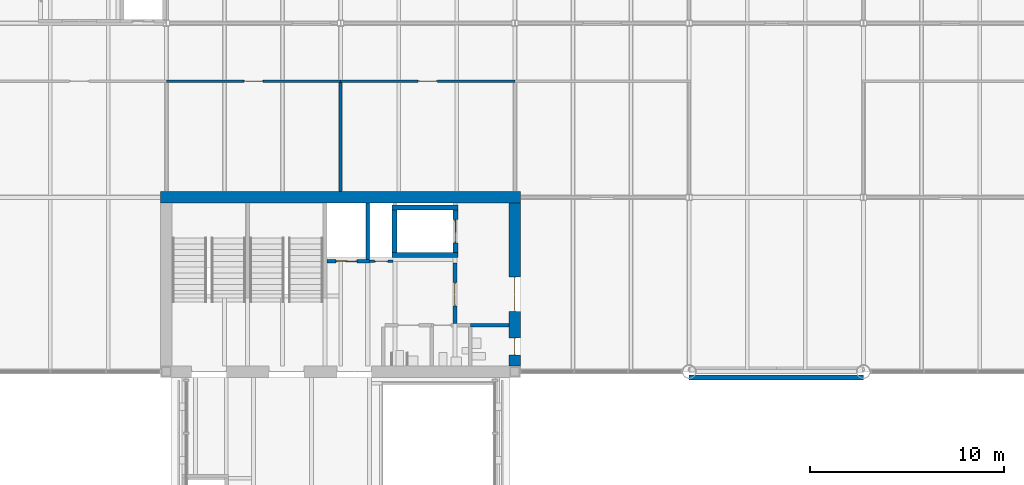
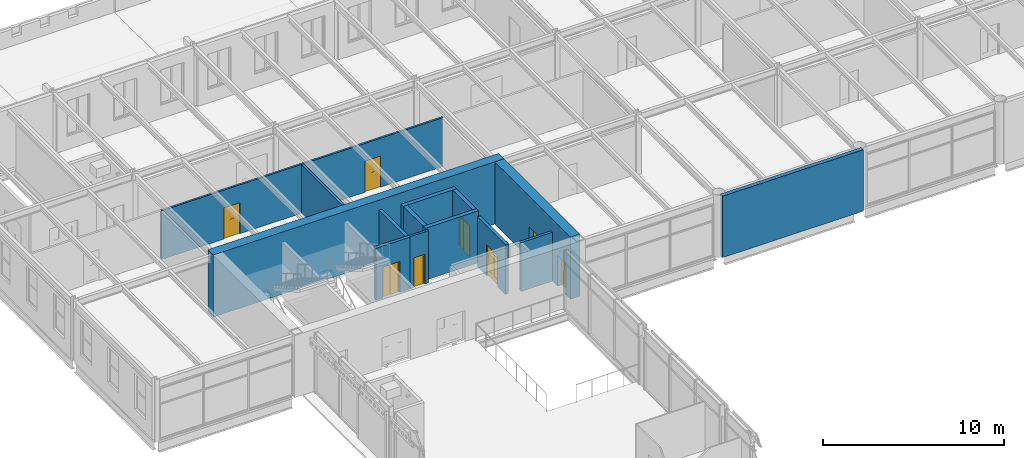
# One storey, part 71 of 123: 15 walls, 8 doors, 8 openings.
"""IFC4 building model written with IfcOpenShell, lengths in metres."""

from ifc_helpers import new_model, si_unit, direction, frame, frame_2d, origin, place, context, subcontext, project, spatial, polyline, rectangle, outline, extrude, material, layer, layer_set, type_object, element, fill, save


model = new_model("IFC4")

# Units and contexts
model_context = context("Model", 3, precision=1e-05, world=origin(), true_north=direction((0.0, 1.0)))
body_context = subcontext(model_context, "Body", "Model", "MODEL_VIEW")
ifc_project = project(units=[si_unit("LENGTHUNIT", "METRE"), si_unit("AREAUNIT", "SQUARE_METRE"), si_unit("VOLUMEUNIT", "CUBIC_METRE"), si_unit("PLANEANGLEUNIT", "RADIAN"), si_unit("MASSUNIT", "GRAM", prefix="KILO")], contexts=[model_context])

# Site, building, storey
site_placement = place(None, origin())
site = spatial("IfcSite", under=ifc_project, at=site_placement, CompositionType="ELEMENT")
building_placement = place(site_placement, origin())
building = spatial("IfcBuilding", under=site, at=building_placement, Name="Baradari Gate Terminus", CompositionType="ELEMENT")
storey_placement = place(building_placement, frame((0.0, 0.0, 7.5)))
storey = spatial("IfcBuildingStorey", under=building, at=storey_placement, Name="L01", CompositionType="ELEMENT", Elevation=7.5)

# Wall
ifc_material_1 = material(Name="Concrete C40/50", Category="concrete")
ifc_layer_1 = layer(ifc_material_1, 0.60009765625)
ifc_layer_set_1 = layer_set([ifc_layer_1], Name="Concrete C40/50")
wall_type_1 = type_object("IfcWallType", Name="Abutment core wall CWL04 600", PredefinedType="SOLIDWALL", material=ifc_layer_set_1)
wall_1_placement = place(storey_placement, frame((71.699951171875, 90.0, 0.0), z_axis=(0.0, 0.0, 1.0), x_axis=(1.0, 0.0, 0.0)))
element("IfcWall", 1, at=wall_1_placement, inside=storey, type_object=wall_type_1, Name="Abutment core wall GN N L01", PredefinedType="SOLIDWALL", context=body_context, shape_type="SweptSolid", body=[
    extrude(rectangle(XDim=18.60009765625, YDim=0.60009765625, at=frame_2d((9.300048828125, 0.0))), origin(), (0.0, 0.0, 1.0), 4.199951171875),
])

# Wall, openings, doors
wall_2_placement = place(storey_placement, frame((90.0, 81.300048828125, 0.0), z_axis=(0.0, 0.0, 1.0), x_axis=(0.0, 1.0, 0.0)))
wall_2 = element("IfcWall", 2, at=wall_2_placement, inside=storey, type_object=wall_type_1, Name="Abutment core wall GN E L01", PredefinedType="SOLIDWALL", context=body_context, shape_type="SweptSolid", body=[
    extrude(rectangle(XDim=8.39990234375, YDim=0.60009765625, at=frame_2d((4.199951171875, 0.0))), origin(), (0.0, 0.0, 1.0), 4.199951171875),
])
opening_1_placement = place(wall_2_placement, frame((2.800048828125, 0.0, 0.0)))
opening_1 = element("IfcOpeningElement", 3, at=opening_1_placement, cuts=wall_2, Name="Opening D01-094", PredefinedType="OPENING", context=body_context, shape_type="SweptSolid", body=[
    extrude(rectangle(XDim=1.800048828125, YDim=2.10009765625, at=frame_2d((0.89990234375, 1.050048828125))), frame((0.0, 0.31005859375, 0.0), z_axis=(0.0, -1.0, 0.0), x_axis=(1.0, 0.0, 0.0)), (0.0, 0.0, 1.0), 0.6201171875),
])
opening_2_placement = place(wall_2_placement, frame((0.550048828125, 0.0, 0.0)))
opening_2 = element("IfcOpeningElement", 4, at=opening_2_placement, cuts=wall_2, Name="Opening D01-098", PredefinedType="OPENING", context=body_context, shape_type="SweptSolid", body=[
    extrude(rectangle(XDim=0.89990234375, YDim=2.10009765625, at=frame_2d((0.449951171875, 1.050048828125))), frame((0.0, 0.31005859375, 0.0), z_axis=(0.0, -1.0, 0.0), x_axis=(1.0, 0.0, 0.0)), (0.0, 0.0, 1.0), 0.6201171875),
])
ifc_material_2 = material(Name="Steel S275", Category="steel")
door_type_1 = type_object("IfcDoorType", Name="Fire door FI-1800-FD90S 1800x2100 FD90S", OperationType="DOUBLE_DOOR_SINGLE_SWING", PredefinedType="DOOR", material=ifc_material_2)
door_1_placement = place(opening_1_placement, origin())
door_1 = element("IfcDoor", 5, at=door_1_placement, inside=storey, type_object=door_type_1, Name="Door Lift Lobby (Fire-fighting)", OperationType="DOUBLE_DOOR_SINGLE_SWING", OverallHeight=2.1, OverallWidth=1.8, PredefinedType="DOOR", context=body_context, shape_type="SweptSolid", body=[
    extrude(outline(polyline([(0.0, 0.0), (0.070068359375, 0.0), (0.070068359375, 2.030029296875), (1.72998046875, 2.030029296875), (1.72998046875, 0.0), (1.800048828125, 0.0), (1.800048828125, 2.10009765625), (0.0, 2.10009765625), (0.0, 0.0)])), frame((0.0, 0.02490234375, 0.0), z_axis=(0.0, -1.0, 0.0), x_axis=(1.0, 0.0, 0.0)), (0.0, 0.0, 1.0), 0.050048828125),
    extrude(outline(polyline([(0.073974609375, 0.010009765625), (0.89697265625, 0.010009765625), (0.89697265625, 2.026123046875), (0.073974609375, 2.026123046875), (0.073974609375, 0.010009765625)]), holes=[polyline([(0.194091796875, 0.159912109375), (0.77685546875, 0.159912109375), (0.77685546875, 1.010009765625), (0.194091796875, 1.010009765625), (0.194091796875, 0.159912109375)]), polyline([(0.33544921875, 1.159912109375), (0.635498046875, 1.159912109375), (0.635498046875, 1.760009765625), (0.33544921875, 1.760009765625), (0.33544921875, 1.159912109375)])]), frame((0.0, 0.017333984375, 0.0), z_axis=(0.0, -1.0, 0.0), x_axis=(1.0, 0.0, 0.0)), (0.0, 0.0, 1.0), 0.034912109375),
    extrude(rectangle(XDim=0.582763671875, YDim=0.85009765625, at=frame_2d((0.4853515625, 0.5849609375))), frame((0.0, 0.008544921875, 0.0), z_axis=(0.0, -1.0, 0.0), x_axis=(1.0, 0.0, 0.0)), (0.0, 0.0, 1.0), 0.017333984375),
    extrude(rectangle(XDim=0.300048828125, YDim=0.60009765625, at=frame_2d((0.4853515625, 1.4599609375))), frame((0.0, 0.005859375, 0.0), z_axis=(0.0, -1.0, 0.0), x_axis=(1.0, 0.0, 0.0)), (0.0, 0.0, 1.0), 0.011962890625),
    extrude(outline(polyline([(0.903076171875, 0.010009765625), (1.72607421875, 0.010009765625), (1.72607421875, 2.026123046875), (0.903076171875, 2.026123046875), (0.903076171875, 0.010009765625)]), holes=[polyline([(1.023193359375, 0.159912109375), (1.60595703125, 0.159912109375), (1.60595703125, 1.010009765625), (1.023193359375, 1.010009765625), (1.023193359375, 0.159912109375)]), polyline([(1.16455078125, 1.159912109375), (1.464599609375, 1.159912109375), (1.464599609375, 1.760009765625), (1.16455078125, 1.760009765625), (1.16455078125, 1.159912109375)])]), frame((0.0, 0.017333984375, 0.0), z_axis=(0.0, -1.0, 0.0), x_axis=(1.0, 0.0, 0.0)), (0.0, 0.0, 1.0), 0.034912109375),
    extrude(rectangle(XDim=0.582763671875, YDim=0.85009765625, at=frame_2d((1.314453125, 0.5849609375))), frame((0.0, 0.008544921875, 0.0), z_axis=(0.0, -1.0, 0.0), x_axis=(1.0, 0.0, 0.0)), (0.0, 0.0, 1.0), 0.017333984375),
    extrude(rectangle(XDim=0.300048828125, YDim=0.60009765625, at=frame_2d((1.314453125, 1.4599609375))), frame((0.0, 0.005859375, 0.0), z_axis=(0.0, -1.0, 0.0), x_axis=(1.0, 0.0, 0.0)), (0.0, 0.0, 1.0), 0.011962890625),
])
fill(opening_1, door_1)
ifc_material_3 = material(Name="Steel S275", Category="steel")
door_type_2 = type_object("IfcDoorType", Name="Fire door FI-900-FD90S 900x2100 FD90S", OperationType="SINGLE_SWING_LEFT", PredefinedType="DOOR", material=ifc_material_3)
door_2_placement = place(opening_2_placement, origin())
door_2 = element("IfcDoor", 6, at=door_2_placement, inside=storey, type_object=door_type_2, Name="Door Female WC", OperationType="SINGLE_SWING_LEFT", OverallHeight=2.1, OverallWidth=0.9, PredefinedType="DOOR", context=body_context, shape_type="SweptSolid", body=[
    extrude(outline(polyline([(0.0, 0.0), (0.070068359375, 0.0), (0.070068359375, 2.030029296875), (0.829833984375, 2.030029296875), (0.829833984375, 0.0), (0.89990234375, 0.0), (0.89990234375, 2.10009765625), (0.0, 2.10009765625), (0.0, 0.0)])), frame((0.0, 0.02490234375, 0.0), z_axis=(0.0, -1.0, 0.0), x_axis=(1.0, 0.0, 0.0)), (0.0, 0.0, 1.0), 0.050048828125),
    extrude(outline(polyline([(0.073974609375, 0.010009765625), (0.825927734375, 0.010009765625), (0.825927734375, 2.026123046875), (0.073974609375, 2.026123046875), (0.073974609375, 0.010009765625)]), holes=[polyline([(0.194091796875, 0.159912109375), (0.705810546875, 0.159912109375), (0.705810546875, 1.010009765625), (0.194091796875, 1.010009765625), (0.194091796875, 0.159912109375)]), polyline([(0.300048828125, 1.159912109375), (0.599853515625, 1.159912109375), (0.599853515625, 1.760009765625), (0.300048828125, 1.760009765625), (0.300048828125, 1.159912109375)])]), frame((0.0, 0.017333984375, 0.0), z_axis=(0.0, -1.0, 0.0), x_axis=(1.0, 0.0, 0.0)), (0.0, 0.0, 1.0), 0.034912109375),
    extrude(rectangle(XDim=0.51171875, YDim=0.85009765625, at=frame_2d((0.449951171875, 0.5849609375))), frame((0.0, 0.008544921875, 0.0), z_axis=(0.0, -1.0, 0.0), x_axis=(1.0, 0.0, 0.0)), (0.0, 0.0, 1.0), 0.017333984375),
    extrude(rectangle(XDim=0.2998046875, YDim=0.60009765625, at=frame_2d((0.449951171875, 1.4599609375))), frame((0.0, 0.005859375, 0.0), z_axis=(0.0, -1.0, 0.0), x_axis=(1.0, 0.0, 0.0)), (0.0, 0.0, 1.0), 0.011962890625),
])
fill(opening_2, door_2)

# Wall, opening, door
ifc_material_4 = material(Name="Gypsum board")
ifc_layer_2 = layer(ifc_material_4, 0.125)
ifc_layer_set_2 = layer_set([ifc_layer_2], Name="Gypsum board")
wall_type_2 = type_object("IfcWallType", Name="Corridor partition PT-5 125 EI 30", PredefinedType="PARTITIONING", material=ifc_layer_set_2)
wall_3_placement = place(storey_placement, frame((90.0, 96.0, 0.0), z_axis=(0.0, 0.0, 1.0), x_axis=(-1.0, 0.0, 0.0)))
wall_3 = element("IfcWall", 7, at=wall_3_placement, inside=storey, type_object=wall_type_2, Name="PT-5 partition Corridor (Service Corridor West) / Station Office 2", PredefinedType="PARTITIONING", context=body_context, shape_type="SweptSolid", body=[
    extrude(rectangle(XDim=9.0, YDim=0.125, at=frame_2d((4.5, 0.0))), origin(), (0.0, 0.0, 1.0), 3.306884765625),
])
opening_3_placement = place(wall_3_placement, frame((4.0, 0.0, 0.0)))
opening_3 = element("IfcOpeningElement", 8, at=opening_3_placement, cuts=wall_3, Name="Opening D01-037", PredefinedType="OPENING", context=body_context, shape_type="SweptSolid", body=[
    extrude(rectangle(XDim=1.0, YDim=2.10009765625, at=frame_2d((0.5, 1.050048828125))), frame((0.0, 0.072509765625, 0.0), z_axis=(0.0, -1.0, 0.0), x_axis=(1.0, 0.0, 0.0)), (0.0, 0.0, 1.0), 0.14501953125),
])
ifc_material_5 = material(Name="Steel S275", Category="steel")
door_type_3 = type_object("IfcDoorType", Name="Fire door FI-1000-FD30S 1000x2100 FD30S", OperationType="SINGLE_SWING_LEFT", PredefinedType="DOOR", material=ifc_material_5)
door_3_placement = place(opening_3_placement, origin())
door_3 = element("IfcDoor", 9, at=door_3_placement, inside=storey, type_object=door_type_3, Name="Door Station Office 2", OperationType="SINGLE_SWING_LEFT", OverallHeight=2.1, OverallWidth=1.0, PredefinedType="DOOR", context=body_context, shape_type="SweptSolid", body=[
    extrude(outline(polyline([(0.0, 0.0), (0.070068359375, 0.0), (0.070068359375, 2.030029296875), (0.929931640625, 2.030029296875), (0.929931640625, 0.0), (1.0, 0.0), (1.0, 2.10009765625), (0.0, 2.10009765625), (0.0, 0.0)])), frame((0.0, 0.02490234375, 0.0), z_axis=(0.0, -1.0, 0.0), x_axis=(1.0, 0.0, 0.0)), (0.0, 0.0, 1.0), 0.050048828125),
    extrude(outline(polyline([(0.073974609375, 0.010009765625), (0.926025390625, 0.010009765625), (0.926025390625, 2.026123046875), (0.073974609375, 2.026123046875), (0.073974609375, 0.010009765625)]), holes=[polyline([(0.194091796875, 0.159912109375), (0.805908203125, 0.159912109375), (0.805908203125, 1.010009765625), (0.194091796875, 1.010009765625), (0.194091796875, 0.159912109375)]), polyline([(0.35009765625, 1.159912109375), (0.64990234375, 1.159912109375), (0.64990234375, 1.760009765625), (0.35009765625, 1.760009765625), (0.35009765625, 1.159912109375)])]), frame((0.0, 0.017333984375, 0.0), z_axis=(0.0, -1.0, 0.0), x_axis=(1.0, 0.0, 0.0)), (0.0, 0.0, 1.0), 0.034912109375),
    extrude(rectangle(XDim=0.61181640625, YDim=0.85009765625, at=frame_2d((0.5, 0.5849609375))), frame((0.0, 0.008544921875, 0.0), z_axis=(0.0, -1.0, 0.0), x_axis=(1.0, 0.0, 0.0)), (0.0, 0.0, 1.0), 0.017333984375),
    extrude(rectangle(XDim=0.2998046875, YDim=0.60009765625, at=frame_2d((0.5, 1.4599609375))), frame((0.0, 0.005859375, 0.0), z_axis=(0.0, -1.0, 0.0), x_axis=(1.0, 0.0, 0.0)), (0.0, 0.0, 1.0), 0.011962890625),
])
fill(opening_3, door_3)

wall_4_placement = place(storey_placement, frame((81.0, 96.0, 0.0), z_axis=(0.0, 0.0, 1.0), x_axis=(-1.0, 0.0, 0.0)))
wall_4 = element("IfcWall", 10, at=wall_4_placement, inside=storey, type_object=wall_type_2, Name="PT-5 partition Corridor (Service Corridor West) / Station Office 1", PredefinedType="PARTITIONING", context=body_context, shape_type="SweptSolid", body=[
    extrude(rectangle(XDim=9.0, YDim=0.125, at=frame_2d((4.5, 0.0))), origin(), (0.0, 0.0, 1.0), 3.306884765625),
])
opening_4_placement = place(wall_4_placement, frame((4.0, 0.0, 0.0)))
opening_4 = element("IfcOpeningElement", 11, at=opening_4_placement, cuts=wall_4, Name="Opening D01-036", PredefinedType="OPENING", context=body_context, shape_type="SweptSolid", body=[
    extrude(rectangle(XDim=1.0, YDim=2.10009765625, at=frame_2d((0.5, 1.050048828125))), frame((0.0, 0.072509765625, 0.0), z_axis=(0.0, -1.0, 0.0), x_axis=(1.0, 0.0, 0.0)), (0.0, 0.0, 1.0), 0.14501953125),
])
door_4_placement = place(opening_4_placement, origin())
door_4 = element("IfcDoor", 12, at=door_4_placement, inside=storey, type_object=door_type_3, Name="Door Station Office 1", OperationType="SINGLE_SWING_LEFT", OverallHeight=2.1, OverallWidth=1.0, PredefinedType="DOOR", context=body_context, shape_type="SweptSolid", body=[
    extrude(outline(polyline([(0.0, 0.0), (0.070068359375, 0.0), (0.070068359375, 2.030029296875), (0.929931640625, 2.030029296875), (0.929931640625, 0.0), (1.0, 0.0), (1.0, 2.10009765625), (0.0, 2.10009765625), (0.0, 0.0)])), frame((0.0, 0.02490234375, 0.0), z_axis=(0.0, -1.0, 0.0), x_axis=(1.0, 0.0, 0.0)), (0.0, 0.0, 1.0), 0.050048828125),
    extrude(outline(polyline([(0.073974609375, 0.010009765625), (0.926025390625, 0.010009765625), (0.926025390625, 2.026123046875), (0.073974609375, 2.026123046875), (0.073974609375, 0.010009765625)]), holes=[polyline([(0.194091796875, 0.159912109375), (0.805908203125, 0.159912109375), (0.805908203125, 1.010009765625), (0.194091796875, 1.010009765625), (0.194091796875, 0.159912109375)]), polyline([(0.35009765625, 1.159912109375), (0.64990234375, 1.159912109375), (0.64990234375, 1.760009765625), (0.35009765625, 1.760009765625), (0.35009765625, 1.159912109375)])]), frame((0.0, 0.017333984375, 0.0), z_axis=(0.0, -1.0, 0.0), x_axis=(1.0, 0.0, 0.0)), (0.0, 0.0, 1.0), 0.034912109375),
    extrude(rectangle(XDim=0.61181640625, YDim=0.85009765625, at=frame_2d((0.5, 0.5849609375))), frame((0.0, 0.008544921875, 0.0), z_axis=(0.0, -1.0, 0.0), x_axis=(1.0, 0.0, 0.0)), (0.0, 0.0, 1.0), 0.017333984375),
    extrude(rectangle(XDim=0.2998046875, YDim=0.60009765625, at=frame_2d((0.5, 1.4599609375))), frame((0.0, 0.005859375, 0.0), z_axis=(0.0, -1.0, 0.0), x_axis=(1.0, 0.0, 0.0)), (0.0, 0.0, 1.0), 0.011962890625),
])
fill(opening_4, door_4)

# Walls
ifc_material_6 = material(Name="Concrete C32/40", Category="concrete")
ifc_layer_3 = layer(ifc_material_6, 0.25)
ifc_layer_set_3 = layer_set([ifc_layer_3], Name="Concrete C32/40")
wall_type_3 = type_object("IfcWallType", Name="Firefighting lift shaft wall SH-2 250 EI 120", PredefinedType="SOLIDWALL", material=ifc_layer_set_3)
for number, where, z_axis, x_axis, name in (
    (13, (83.64990234375, 87.02490234375, 0.0), (0.0, 0.0, 1.0), (1.0, 0.0, 0.0), "Lift shaft wall LGN2 L01 S"),
    (14, (83.64990234375, 89.47509765625, 0.0), (0.0, 0.0, 1.0), (1.0, 0.0, 0.0), "Lift shaft wall LGN2 L01 N"),
):
    element("IfcWall", number, at=place(storey_placement, frame(where, z_axis=z_axis, x_axis=x_axis)), inside=storey, type_object=wall_type_3, Name=name, PredefinedType="SOLIDWALL", context=body_context, shape_type="SweptSolid", body=[
        extrude(rectangle(XDim=3.400146484375, YDim=0.25, at=frame_2d((1.7001953125, 0.0))), origin(), (0.0, 0.0, 1.0), 3.51611328125),
    ])
wall_5_placement = place(storey_placement, frame((83.77490234375, 87.14990234375, 0.0), z_axis=(0.0, 0.0, 1.0), x_axis=(0.0, 1.0, 0.0)))
element("IfcWall", 15, at=wall_5_placement, inside=storey, type_object=wall_type_3, Name="Lift shaft wall LGN2 L01 W", PredefinedType="SOLIDWALL", context=body_context, shape_type="SweptSolid", body=[
    extrude(rectangle(XDim=2.2001953125, YDim=0.25, at=frame_2d((1.10009765625, 0.0))), origin(), (0.0, 0.0, 1.0), 3.51611328125),
])

# Wall, opening, door
wall_6_placement = place(storey_placement, frame((86.925048828125, 87.14990234375, 0.0), z_axis=(0.0, 0.0, 1.0), x_axis=(0.0, 1.0, 0.0)))
wall_6 = element("IfcWall", 16, at=wall_6_placement, inside=storey, type_object=wall_type_3, Name="Lift shaft wall LGN2 L01 E", PredefinedType="SOLIDWALL", context=body_context, shape_type="SweptSolid", body=[
    extrude(rectangle(XDim=2.2001953125, YDim=0.25, at=frame_2d((1.10009765625, 0.0))), origin(), (0.0, 0.0, 1.0), 3.51611328125),
])
opening_5_placement = place(wall_6_placement, frame((0.5, 0.0, 0.0)))
opening_5 = element("IfcOpeningElement", 17, at=opening_5_placement, cuts=wall_6, Name="Opening D01-002", PredefinedType="OPENING", context=body_context, shape_type="SweptSolid", body=[
    extrude(rectangle(XDim=1.199951171875, YDim=2.10009765625, at=frame_2d((0.60009765625, 1.050048828125))), frame((0.0, 0.135009765625, 0.0), z_axis=(0.0, -1.0, 0.0), x_axis=(1.0, 0.0, 0.0)), (0.0, 0.0, 1.0), 0.27001953125),
])
ifc_material_7 = material(Name="Stainless steel 1.4301", Category="steel")
door_type_4 = type_object("IfcDoorType", Name="Lift landing door LD2 1200x2100 E 120", OperationType="SLIDING_TO_LEFT", PredefinedType="DOOR", material=ifc_material_7)
door_5_placement = place(opening_5_placement, origin())
door_5 = element("IfcDoor", 18, at=door_5_placement, inside=storey, type_object=door_type_4, Name="Lift landing door LGN2 L01", OperationType="SLIDING_TO_LEFT", OverallHeight=2.1, OverallWidth=1.2, PredefinedType="DOOR", context=body_context, shape_type="SweptSolid", body=[
    extrude(outline(polyline([(0.0, 0.0), (0.070068359375, 0.0), (0.070068359375, 2.030029296875), (1.1298828125, 2.030029296875), (1.1298828125, 0.0), (1.199951171875, 0.0), (1.199951171875, 2.10009765625), (0.0, 2.10009765625), (0.0, 0.0)])), frame((0.0, 0.02490234375, 0.0), z_axis=(0.0, -1.0, 0.0), x_axis=(1.0, 0.0, 0.0)), (0.0, 0.0, 1.0), 0.050048828125),
    extrude(rectangle(XDim=0.57861328125, YDim=2.01611328125, at=frame_2d((0.36328125, 1.01806640625))), frame((0.0, 0.017822265625, 0.0), z_axis=(0.0, -1.0, 0.0), x_axis=(1.0, 0.0, 0.0)), (0.0, 0.0, 1.0), 0.015869140625),
    extrude(rectangle(XDim=0.57470703125, YDim=2.01611328125, at=frame_2d((0.838623046875, 1.01806640625))), frame((0.0, -0.002197265625, 0.0), z_axis=(0.0, -1.0, 0.0), x_axis=(1.0, 0.0, 0.0)), (0.0, 0.0, 1.0), 0.015869140625),
])
fill(opening_5, door_5)

# Wall
ifc_material_8 = material(Name="Laterite masonry", Category="masonry")
ifc_layer_4 = layer(ifc_material_8, 0.25)
ifc_layer_set_4 = layer_set([ifc_layer_4], Name="Laterite masonry")
wall_type_4 = type_object("IfcWallType", Name="Laterite masonry wall WP-1 250", PredefinedType="SOLIDWALL", material=ifc_layer_set_4)
wall_7_placement = place(storey_placement, frame((99.0, 80.68994140625, 0.0), z_axis=(0.0, 0.0, 1.0), x_axis=(1.0, 0.0, 0.0)))
element("IfcWall", 19, at=wall_7_placement, inside=storey, type_object=wall_type_4, Name="External wall platform side bay 11 L01", PredefinedType="SOLIDWALL", context=body_context, shape_type="SweptSolid", body=[
    extrude(rectangle(XDim=9.0, YDim=0.25, at=frame_2d((4.5, 0.0))), origin(), (0.0, 0.0, 1.0), 4.15869140625),
])

# Wall, opening, door
ifc_material_9 = material(Name="Blockwork wall, fire rated", Category="masonry")
ifc_layer_5 = layer(ifc_material_9, 0.199951171875)
ifc_layer_set_5 = layer_set([ifc_layer_5], Name="Blockwork wall, fire rated")
wall_type_5 = type_object("IfcWallType", Name="Lift shaft wall SH-1 200 EI 120", PredefinedType="SOLIDWALL", material=ifc_layer_set_5)
wall_8_placement = place(storey_placement, frame((80.302001953125, 86.699951171875, 0.0), z_axis=(0.0, 0.0, 1.0), x_axis=(1.0, 0.0, 0.0)))
wall_8 = element("IfcWall", 20, at=wall_8_placement, inside=storey, type_object=wall_type_5, Name="Lift shaft wall LGN1 L01 S", PredefinedType="SOLIDWALL", context=body_context, shape_type="SweptSolid", body=[
    extrude(rectangle(XDim=2.197998046875, YDim=0.199951171875, at=frame_2d((1.09912109375, 0.0))), origin(), (0.0, 0.0, 1.0), 3.51611328125),
])
opening_6_placement = place(wall_8_placement, frame((0.447998046875, 0.0, 0.0)))
opening_6 = element("IfcOpeningElement", 21, at=opening_6_placement, cuts=wall_8, Name="Opening D01-001", PredefinedType="OPENING", context=body_context, shape_type="SweptSolid", body=[
    extrude(rectangle(XDim=1.10009765625, YDim=2.10009765625, at=frame_2d((0.550048828125, 1.050048828125))), frame((0.0, 0.10986328125, 0.0), z_axis=(0.0, -1.0, 0.0), x_axis=(1.0, 0.0, 0.0)), (0.0, 0.0, 1.0), 0.219970703125),
])
ifc_material_10 = material(Name="Stainless steel 1.4301", Category="steel")
door_type_5 = type_object("IfcDoorType", Name="Lift landing door LD 1100x2100 E 120", OperationType="SLIDING_TO_LEFT", PredefinedType="DOOR", material=ifc_material_10)
door_6_placement = place(opening_6_placement, origin())
door_6 = element("IfcDoor", 22, at=door_6_placement, inside=storey, type_object=door_type_5, Name="Lift landing door LGN1 L01", OperationType="SLIDING_TO_LEFT", OverallHeight=2.1, OverallWidth=1.1, PredefinedType="DOOR", context=body_context, shape_type="SweptSolid", body=[
    extrude(outline(polyline([(0.0, 0.0), (0.070068359375, 0.0), (0.070068359375, 2.030029296875), (1.030029296875, 2.030029296875), (1.030029296875, 0.0), (1.10009765625, 0.0), (1.10009765625, 2.10009765625), (0.0, 2.10009765625), (0.0, 0.0)])), frame((0.0, 0.02490234375, 0.0), z_axis=(0.0, -1.0, 0.0), x_axis=(1.0, 0.0, 0.0)), (0.0, 0.0, 1.0), 0.050048828125),
    extrude(rectangle(XDim=0.523681640625, YDim=2.01611328125, at=frame_2d((0.3359375, 1.01806640625))), frame((0.0, 0.017822265625, 0.0), z_axis=(0.0, -1.0, 0.0), x_axis=(1.0, 0.0, 0.0)), (0.0, 0.0, 1.0), 0.015869140625),
    extrude(rectangle(XDim=0.519775390625, YDim=2.01611328125, at=frame_2d((0.76611328125, 1.01806640625))), frame((0.0, -0.002197265625, 0.0), z_axis=(0.0, -1.0, 0.0), x_axis=(1.0, 0.0, 0.0)), (0.0, 0.0, 1.0), 0.015869140625),
])
fill(opening_6, door_6)

# Wall
wall_9_placement = place(storey_placement, frame((82.39990234375, 86.800048828125, 0.0), z_axis=(0.0, 0.0, 1.0), x_axis=(0.0, 1.0, 0.0)))
element("IfcWall", 23, at=wall_9_placement, inside=storey, type_object=wall_type_5, Name="Lift shaft wall LGN1 L01 E", PredefinedType="SOLIDWALL", context=body_context, shape_type="SweptSolid", body=[
    extrude(rectangle(XDim=2.89794921875, YDim=0.199951171875, at=frame_2d((1.448974609375, 0.0))), origin(), (0.0, 0.0, 1.0), 3.51611328125),
])

# Wall, opening, door
ifc_material_11 = material(Name="Blockwork wall, plastered, fire rated", Category="masonry")
ifc_layer_6 = layer(ifc_material_11, 0.199951171875)
ifc_layer_set_6 = layer_set([ifc_layer_6], Name="Blockwork wall, plastered, fire rated")
wall_type_6 = type_object("IfcWallType", Name="Lobby partition PT-4 200 EI 60", PredefinedType="PARTITIONING", material=ifc_layer_set_6)
wall_10_placement = place(storey_placement, frame((86.89990234375, 86.60009765625, 0.0), z_axis=(0.0, 0.0, 1.0), x_axis=(0.0, -1.0, 0.0)))
wall_10 = element("IfcWall", 24, at=wall_10_placement, inside=storey, type_object=wall_type_6, Name="PT-4 partition Lift Lobby / Lift Lobby (Fire-fighting)", PredefinedType="PARTITIONING", context=body_context, shape_type="SweptSolid", body=[
    extrude(rectangle(XDim=3.10009765625, YDim=0.199951171875, at=frame_2d((1.550048828125, 0.0))), origin(), (0.0, 0.0, 1.0), 3.382080078125),
])
opening_7_placement = place(wall_10_placement, frame((1.0, 0.0, 0.0)))
opening_7 = element("IfcOpeningElement", 25, at=opening_7_placement, cuts=wall_10, Name="Opening D01-093", PredefinedType="OPENING", context=body_context, shape_type="SweptSolid", body=[
    extrude(rectangle(XDim=1.199951171875, YDim=2.10009765625, at=frame_2d((0.60009765625, 1.050048828125))), frame((0.0, 0.10986328125, 0.0), z_axis=(0.0, -1.0, 0.0), x_axis=(1.0, 0.0, 0.0)), (0.0, 0.0, 1.0), 0.219970703125),
])
ifc_material_12 = material(Name="Steel S275", Category="steel")
door_type_6 = type_object("IfcDoorType", Name="Fire door FI-1200-FD60S 1200x2100 FD60S", OperationType="DOUBLE_DOOR_SINGLE_SWING", PredefinedType="DOOR", material=ifc_material_12)
door_7_placement = place(opening_7_placement, origin())
door_7 = element("IfcDoor", 26, at=door_7_placement, inside=storey, type_object=door_type_6, Name="Door Lift Lobby (Fire-fighting)", OperationType="DOUBLE_DOOR_SINGLE_SWING", OverallHeight=2.1, OverallWidth=1.2, PredefinedType="DOOR", context=body_context, shape_type="SweptSolid", body=[
    extrude(outline(polyline([(0.0, 0.0), (0.070068359375, 0.0), (0.070068359375, 2.030029296875), (1.1298828125, 2.030029296875), (1.1298828125, 0.0), (1.199951171875, 0.0), (1.199951171875, 2.10009765625), (0.0, 2.10009765625), (0.0, 0.0)])), frame((0.0, 0.02490234375, 0.0), z_axis=(0.0, -1.0, 0.0), x_axis=(1.0, 0.0, 0.0)), (0.0, 0.0, 1.0), 0.050048828125),
    extrude(outline(polyline([(0.073974609375, 0.010009765625), (0.596923828125, 0.010009765625), (0.596923828125, 2.026123046875), (0.073974609375, 2.026123046875), (0.073974609375, 0.010009765625)]), holes=[polyline([(0.178466796875, 0.372802734375), (0.492431640625, 0.372802734375), (0.492431640625, 1.7841796875), (0.178466796875, 1.7841796875), (0.178466796875, 0.372802734375)])]), frame((0.0, 0.017333984375, 0.0), z_axis=(0.0, -1.0, 0.0), x_axis=(1.0, 0.0, 0.0)), (0.0, 0.0, 1.0), 0.034912109375),
    extrude(rectangle(XDim=0.31396484375, YDim=1.411376953125, at=frame_2d((0.33544921875, 1.07861328125))), frame((0.0, 0.008544921875, 0.0), z_axis=(0.0, -1.0, 0.0), x_axis=(1.0, 0.0, 0.0)), (0.0, 0.0, 1.0), 0.017333984375),
    extrude(outline(polyline([(0.60302734375, 0.010009765625), (1.1259765625, 0.010009765625), (1.1259765625, 2.026123046875), (0.60302734375, 2.026123046875), (0.60302734375, 0.010009765625)]), holes=[polyline([(0.70751953125, 0.372802734375), (1.021484375, 0.372802734375), (1.021484375, 1.7841796875), (0.70751953125, 1.7841796875), (0.70751953125, 0.372802734375)])]), frame((0.0, 0.017333984375, 0.0), z_axis=(0.0, -1.0, 0.0), x_axis=(1.0, 0.0, 0.0)), (0.0, 0.0, 1.0), 0.034912109375),
    extrude(rectangle(XDim=0.31396484375, YDim=1.411376953125, at=frame_2d((0.864501953125, 1.07861328125))), frame((0.0, 0.008544921875, 0.0), z_axis=(0.0, -1.0, 0.0), x_axis=(1.0, 0.0, 0.0)), (0.0, 0.0, 1.0), 0.017333984375),
])
fill(opening_7, door_7)

# Wall
ifc_material_13 = material(Name="Blockwork wall, plastered", Category="masonry")
ifc_layer_7 = layer(ifc_material_13, 0.14990234375)
ifc_layer_set_7 = layer_set([ifc_layer_7], Name="Blockwork wall, plastered")
wall_type_7 = type_object("IfcWallType", Name="Partition PT-2 150 EI 60", PredefinedType="PARTITIONING", material=ifc_layer_set_7)
wall_11_placement = place(storey_placement, frame((81.0, 95.9375, 0.0), z_axis=(0.0, 0.0, 1.0), x_axis=(0.0, -1.0, 0.0)))
element("IfcWall", 27, at=wall_11_placement, inside=storey, type_object=wall_type_7, Name="PT-2 partition Station Office 1 / Station Office 2", PredefinedType="PARTITIONING", context=body_context, shape_type="SweptSolid", body=[
    extrude(rectangle(XDim=5.635498046875, YDim=0.14990234375, at=frame_2d((2.81787109375, 0.0))), origin(), (0.0, 0.0, 1.0), 3.306884765625),
])

# Wall, opening, door
ifc_material_14 = material(Name="Blockwork wall, fire rated", Category="masonry")
ifc_layer_8 = layer(ifc_material_14, 0.14990234375)
ifc_layer_set_8 = layer_set([ifc_layer_8], Name="Blockwork wall, fire rated")
wall_type_8 = type_object("IfcWallType", Name="Riser wall RW-1 150 EI 120", PredefinedType="SOLIDWALL", material=ifc_layer_set_8)
wall_12_placement = place(storey_placement, frame((82.501953125, 86.699951171875, 0.0), z_axis=(0.0, 0.0, 1.0), x_axis=(1.0, 0.0, 0.0)))
wall_12 = element("IfcWall", 28, at=wall_12_placement, inside=storey, type_object=wall_type_8, Name="RW-1 partition Lift Lobby / Riser", PredefinedType="SOLIDWALL", context=body_context, shape_type="SweptSolid", body=[
    extrude(rectangle(XDim=1.197998046875, YDim=0.14990234375, at=frame_2d((0.59912109375, 0.0))), origin(), (0.0, 0.0, 1.0), 3.51611328125),
])
opening_8_placement = place(wall_12_placement, frame((0.248046875, 0.0, 0.0)))
opening_8 = element("IfcOpeningElement", 29, at=opening_8_placement, cuts=wall_12, Name="Opening D01-095", PredefinedType="OPENING", context=body_context, shape_type="SweptSolid", body=[
    extrude(rectangle(XDim=0.699951171875, YDim=2.0, at=frame_2d((0.35009765625, 1.0))), frame((0.0, 0.0849609375, 0.0), z_axis=(0.0, -1.0, 0.0), x_axis=(1.0, 0.0, 0.0)), (0.0, 0.0, 1.0), 0.169921875),
])
ifc_material_15 = material(Name="Steel S275", Category="steel")
door_type_7 = type_object("IfcDoorType", Name="Fire door FI-700x2000-FD90S 700x2000 FD90S", OperationType="SINGLE_SWING_LEFT", PredefinedType="DOOR", material=ifc_material_15)
door_8_placement = place(opening_8_placement, origin())
door_8 = element("IfcDoor", 30, at=door_8_placement, inside=storey, type_object=door_type_7, Name="Door Riser", OperationType="SINGLE_SWING_LEFT", OverallHeight=2.0, OverallWidth=0.7, PredefinedType="DOOR", context=body_context, shape_type="SweptSolid", body=[
    extrude(outline(polyline([(0.0, 0.0), (0.070068359375, 0.0), (0.070068359375, 1.929931640625), (0.6298828125, 1.929931640625), (0.6298828125, 0.0), (0.699951171875, 0.0), (0.699951171875, 2.0), (0.0, 2.0), (0.0, 0.0)])), frame((0.0, 0.02490234375, 0.0), z_axis=(0.0, -1.0, 0.0), x_axis=(1.0, 0.0, 0.0)), (0.0, 0.0, 1.0), 0.050048828125),
    extrude(outline(polyline([(0.073974609375, 0.010009765625), (0.6259765625, 0.010009765625), (0.6259765625, 1.926025390625), (0.073974609375, 1.926025390625), (0.073974609375, 0.010009765625)]), holes=[polyline([(0.184326171875, 0.159912109375), (0.515625, 0.159912109375), (0.515625, 1.010009765625), (0.184326171875, 1.010009765625), (0.184326171875, 0.159912109375)]), polyline([(0.199951171875, 1.159912109375), (0.5, 1.159912109375), (0.5, 1.760009765625), (0.199951171875, 1.760009765625), (0.199951171875, 1.159912109375)])]), frame((0.0, 0.017333984375, 0.0), z_axis=(0.0, -1.0, 0.0), x_axis=(1.0, 0.0, 0.0)), (0.0, 0.0, 1.0), 0.034912109375),
    extrude(rectangle(XDim=0.331298828125, YDim=0.85009765625, at=frame_2d((0.35009765625, 0.5849609375))), frame((0.0, 0.008544921875, 0.0), z_axis=(0.0, -1.0, 0.0), x_axis=(1.0, 0.0, 0.0)), (0.0, 0.0, 1.0), 0.017333984375),
    extrude(rectangle(XDim=0.300048828125, YDim=0.60009765625, at=frame_2d((0.35009765625, 1.4599609375))), frame((0.0, 0.005859375, 0.0), z_axis=(0.0, -1.0, 0.0), x_axis=(1.0, 0.0, 0.0)), (0.0, 0.0, 1.0), 0.011962890625),
])
fill(opening_8, door_8)

# Wall
ifc_material_16 = material(Name="Blockwork wall, tiled both faces", Category="masonry")
ifc_layer_9 = layer(ifc_material_16, 0.175048828125)
ifc_layer_set_9 = layer_set([ifc_layer_9], Name="Blockwork wall, tiled both faces")
wall_type_9 = type_object("IfcWallType", Name="WC wet wall PT-6 175 EI 60", PredefinedType="PARTITIONING", material=ifc_layer_set_9)
wall_13_placement = place(storey_placement, frame((89.697998046875, 83.39990234375, 0.0), z_axis=(0.0, 0.0, 1.0), x_axis=(-1.0, 0.0, 0.0)))
element("IfcWall", 31, at=wall_13_placement, inside=storey, type_object=wall_type_9, Name="PT-6 partition Lift Lobby (Fire-fighting) / Female WC", PredefinedType="PARTITIONING", context=body_context, shape_type="SweptSolid", body=[
    extrude(rectangle(XDim=1.998046875, YDim=0.175048828125, at=frame_2d((0.9990234375, 0.0))), origin(), (0.0, 0.0, 1.0), 3.306884765625),
])

save(model, "model.ifc")
